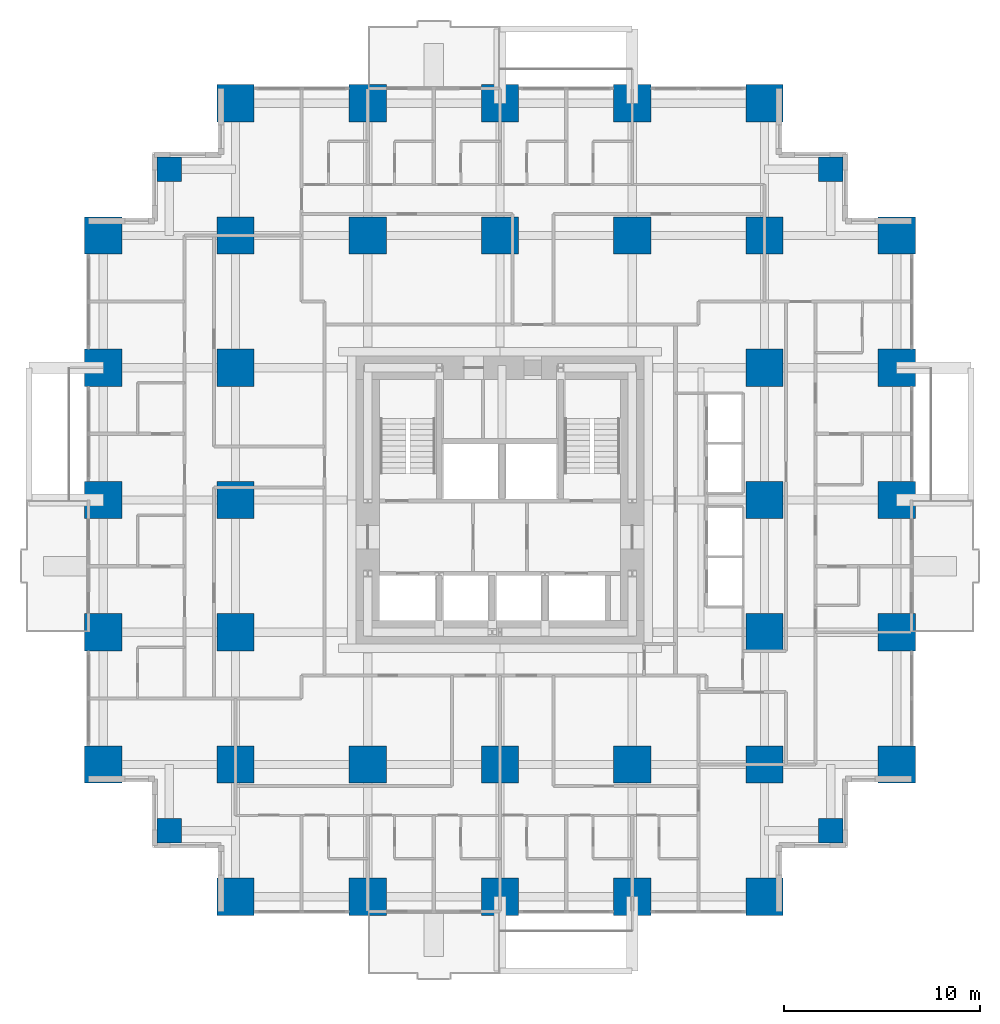
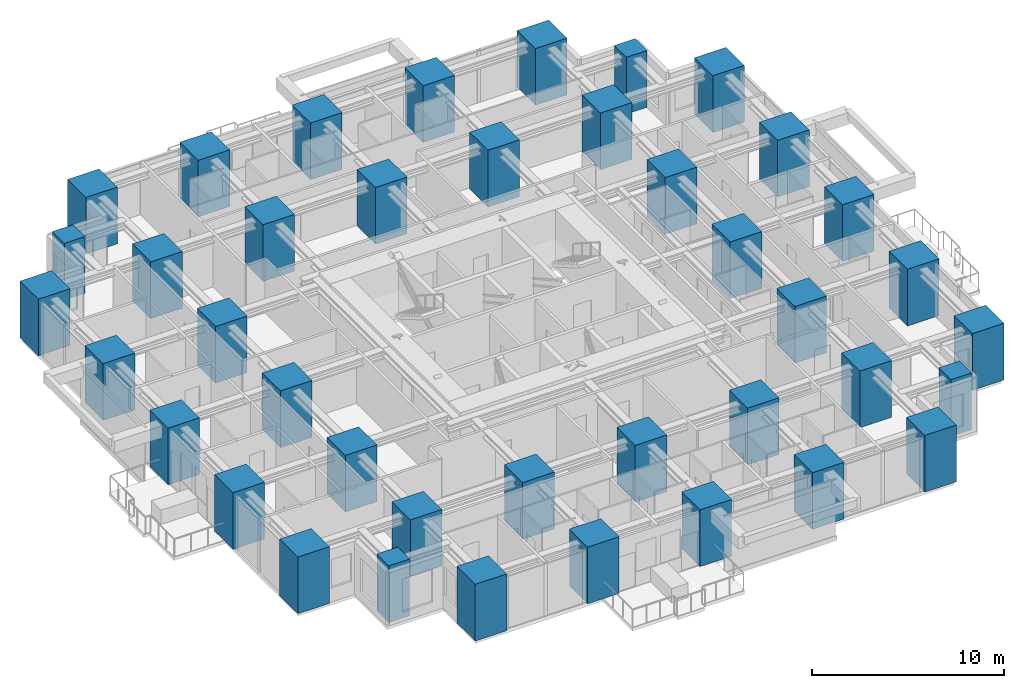
# One storey, part 1 of 14: 40 columns.
"""IFC4 building model written with IfcOpenShell, lengths in metres."""

from ifc_helpers import new_model, si_unit, direction, frame, origin, origin_2d, place, context, subcontext, project, spatial, rectangle, extrude, material, material_profile, profile_set, type_object, element, save


model = new_model("IFC4")

# Units and contexts
model_context = context("Model", 3, precision=1e-05, world=origin(), true_north=direction((0.0, 1.0)))
body_context = subcontext(model_context, "Body", "Model", "MODEL_VIEW")
ifc_project = project(units=[si_unit("LENGTHUNIT", "METRE"), si_unit("AREAUNIT", "SQUARE_METRE"), si_unit("VOLUMEUNIT", "CUBIC_METRE"), si_unit("PLANEANGLEUNIT", "RADIAN"), si_unit("MASSUNIT", "GRAM", prefix="KILO")], contexts=[model_context])

# Site, building, storey
site_placement = place(None, origin())
site = spatial("IfcSite", under=ifc_project, at=site_placement, CompositionType="ELEMENT")
building_placement = place(site_placement, origin())
building = spatial("IfcBuilding", under=site, at=building_placement, Name="Nyansa Garden Tower", CompositionType="ELEMENT")
storey_placement = place(building_placement, frame((0.0, 0.0, 39.60009765625)))
storey = spatial("IfcBuildingStorey", under=building, at=storey_placement, Name="L10", CompositionType="ELEMENT", Elevation=39.60009765625)

# Columns
ifc_material_1 = material(Name="Concrete C70/85", Category="concrete")
ifc_material_profile_1 = material_profile(ifc_material_1, rectangle(XDim=1.25, YDim=1.25, at=origin_2d()), Name="RC 1250x1250")
ifc_profile_set_1 = profile_set([ifc_material_profile_1], Name="Concrete C70/85")
column_type_1 = type_object("IfcColumnType", Name="Column C125 RC 1250x1250", PredefinedType="COLUMN", material=ifc_profile_set_1)
for number, where, z_axis, x_axis, name in (
    (1, (3.375, 3.375, 0.0), (0.0, 0.0, 1.0), (1.0, 0.0, 0.0), "Column x3.375/y3.375 L10"),
    (2, (3.375, 37.125, 0.0), (0.0, 0.0, 1.0), (1.0, 0.0, 0.0), "Column x3.375/y37.125 L10"),
    (3, (37.125, 3.375, 0.0), (0.0, 0.0, 1.0), (1.0, 0.0, 0.0), "Column x37.125/y3.375 L10"),
    (4, (37.125, 37.125, 0.0), (0.0, 0.0, 1.0), (1.0, 0.0, 0.0), "Column x37.125/y37.125 L10"),
):
    element("IfcColumn", number, at=place(storey_placement, frame(where, z_axis=z_axis, x_axis=x_axis)), inside=storey, type_object=column_type_1, Name=name, PredefinedType="COLUMN", context=body_context, shape_type="SweptSolid", body=[
        extrude(rectangle(XDim=1.25, YDim=1.25, at=origin_2d()), origin(), (0.0, 0.0, 1.0), 3.599853515625),
    ])
ifc_material_2 = material(Name="Concrete C80/95", Category="concrete")
ifc_material_profile_2 = material_profile(ifc_material_2, rectangle(XDim=1.89990234375, YDim=1.89990234375, at=origin_2d()), Name="RC 1900x1900")
ifc_profile_set_2 = profile_set([ifc_material_profile_2], Name="Concrete C80/95")
column_type_2 = type_object("IfcColumnType", Name="Column C190 RC 1900x1900", PredefinedType="COLUMN", material=ifc_profile_set_2)
for number, where, z_axis, x_axis, name in (
    (5, (0.0, 6.75, 0.0), (0.0, 0.0, 1.0), (1.0, 0.0, 0.0), "Column 2/E L10"),
    (6, (0.0, 13.5, 0.0), (0.0, 0.0, 1.0), (1.0, 0.0, 0.0), "Column 2/F L10"),
    (7, (0.0, 20.25, 0.0), (0.0, 0.0, 1.0), (1.0, 0.0, 0.0), "Column 2/G L10"),
    (8, (0.0, 27.0, 0.0), (0.0, 0.0, 1.0), (1.0, 0.0, 0.0), "Column 2/H L10"),
    (9, (0.0, 33.75, 0.0), (0.0, 0.0, 1.0), (1.0, 0.0, 0.0), "Column 2/J L10"),
    (10, (6.75, 0.0, 0.0), (0.0, 0.0, 1.0), (1.0, 0.0, 0.0), "Column 3/D L10"),
    (11, (6.75, 6.75, 0.0), (0.0, 0.0, 1.0), (1.0, 0.0, 0.0), "Column 3/E L10"),
    (12, (6.75, 13.5, 0.0), (0.0, 0.0, 1.0), (1.0, 0.0, 0.0), "Column 3/F L10"),
    (13, (6.75, 20.25, 0.0), (0.0, 0.0, 1.0), (1.0, 0.0, 0.0), "Column 3/G L10"),
    (14, (6.75, 27.0, 0.0), (0.0, 0.0, 1.0), (1.0, 0.0, 0.0), "Column 3/H L10"),
    (15, (6.75, 33.75, 0.0), (0.0, 0.0, 1.0), (1.0, 0.0, 0.0), "Column 3/J L10"),
    (16, (6.75, 40.5, 0.0), (0.0, 0.0, 1.0), (1.0, 0.0, 0.0), "Column 3/K L10"),
    (17, (13.5, 0.0, 0.0), (0.0, 0.0, 1.0), (1.0, 0.0, 0.0), "Column 4/D L10"),
    (18, (13.5, 6.75, 0.0), (0.0, 0.0, 1.0), (1.0, 0.0, 0.0), "Column 4/E L10"),
    (19, (13.5, 33.75, 0.0), (0.0, 0.0, 1.0), (1.0, 0.0, 0.0), "Column 4/J L10"),
    (20, (13.5, 40.5, 0.0), (0.0, 0.0, 1.0), (1.0, 0.0, 0.0), "Column 4/K L10"),
    (21, (20.25, 0.0, 0.0), (0.0, 0.0, 1.0), (1.0, 0.0, 0.0), "Column 5/D L10"),
    (22, (20.25, 6.75, 0.0), (0.0, 0.0, 1.0), (1.0, 0.0, 0.0), "Column 5/E L10"),
    (23, (20.25, 33.75, 0.0), (0.0, 0.0, 1.0), (1.0, 0.0, 0.0), "Column 5/J L10"),
    (24, (20.25, 40.5, 0.0), (0.0, 0.0, 1.0), (1.0, 0.0, 0.0), "Column 5/K L10"),
    (25, (27.0, 0.0, 0.0), (0.0, 0.0, 1.0), (1.0, 0.0, 0.0), "Column 6/D L10"),
    (26, (27.0, 6.75, 0.0), (0.0, 0.0, 1.0), (1.0, 0.0, 0.0), "Column 6/E L10"),
    (27, (27.0, 33.75, 0.0), (0.0, 0.0, 1.0), (1.0, 0.0, 0.0), "Column 6/J L10"),
    (28, (27.0, 40.5, 0.0), (0.0, 0.0, 1.0), (1.0, 0.0, 0.0), "Column 6/K L10"),
    (29, (33.75, 0.0, 0.0), (0.0, 0.0, 1.0), (1.0, 0.0, 0.0), "Column 7/D L10"),
    (30, (33.75, 6.75, 0.0), (0.0, 0.0, 1.0), (1.0, 0.0, 0.0), "Column 7/E L10"),
    (31, (33.75, 13.5, 0.0), (0.0, 0.0, 1.0), (1.0, 0.0, 0.0), "Column 7/F L10"),
    (32, (33.75, 20.25, 0.0), (0.0, 0.0, 1.0), (1.0, 0.0, 0.0), "Column 7/G L10"),
    (33, (33.75, 27.0, 0.0), (0.0, 0.0, 1.0), (1.0, 0.0, 0.0), "Column 7/H L10"),
    (34, (33.75, 33.75, 0.0), (0.0, 0.0, 1.0), (1.0, 0.0, 0.0), "Column 7/J L10"),
    (35, (33.75, 40.5, 0.0), (0.0, 0.0, 1.0), (1.0, 0.0, 0.0), "Column 7/K L10"),
    (36, (40.5, 6.75, 0.0), (0.0, 0.0, 1.0), (1.0, 0.0, 0.0), "Column 8/E L10"),
    (37, (40.5, 13.5, 0.0), (0.0, 0.0, 1.0), (1.0, 0.0, 0.0), "Column 8/F L10"),
    (38, (40.5, 20.25, 0.0), (0.0, 0.0, 1.0), (1.0, 0.0, 0.0), "Column 8/G L10"),
    (39, (40.5, 27.0, 0.0), (0.0, 0.0, 1.0), (1.0, 0.0, 0.0), "Column 8/H L10"),
    (40, (40.5, 33.75, 0.0), (0.0, 0.0, 1.0), (1.0, 0.0, 0.0), "Column 8/J L10"),
):
    element("IfcColumn", number, at=place(storey_placement, frame(where, z_axis=z_axis, x_axis=x_axis)), inside=storey, type_object=column_type_2, Name=name, PredefinedType="COLUMN", context=body_context, shape_type="SweptSolid", body=[
        extrude(rectangle(XDim=1.89990234375, YDim=1.89990234375, at=origin_2d()), origin(), (0.0, 0.0, 1.0), 3.599853515625),
    ])

save(model, "model.ifc")
